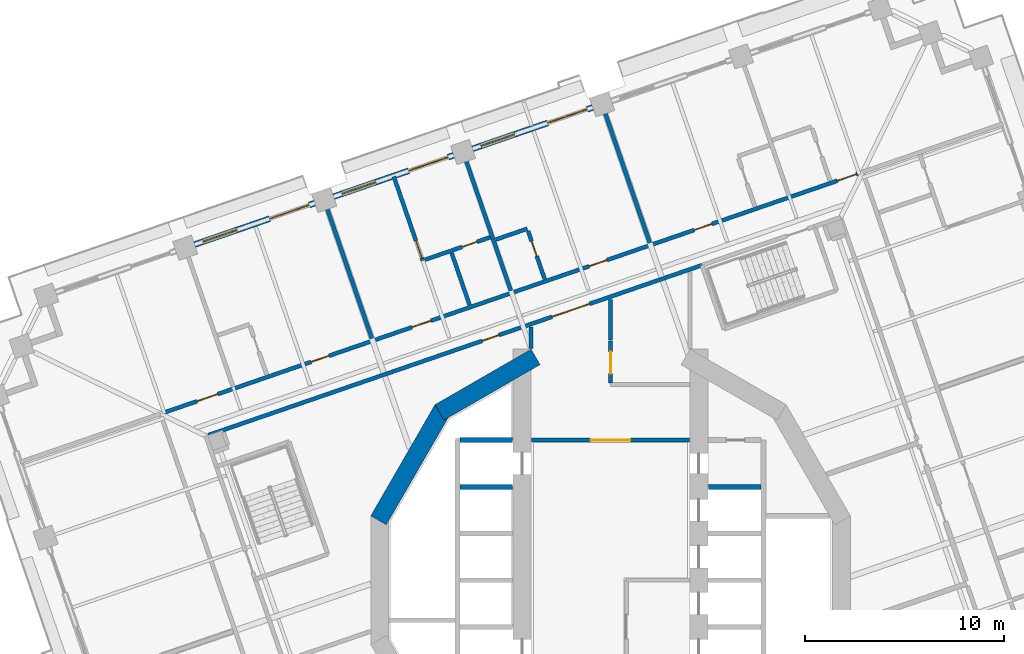
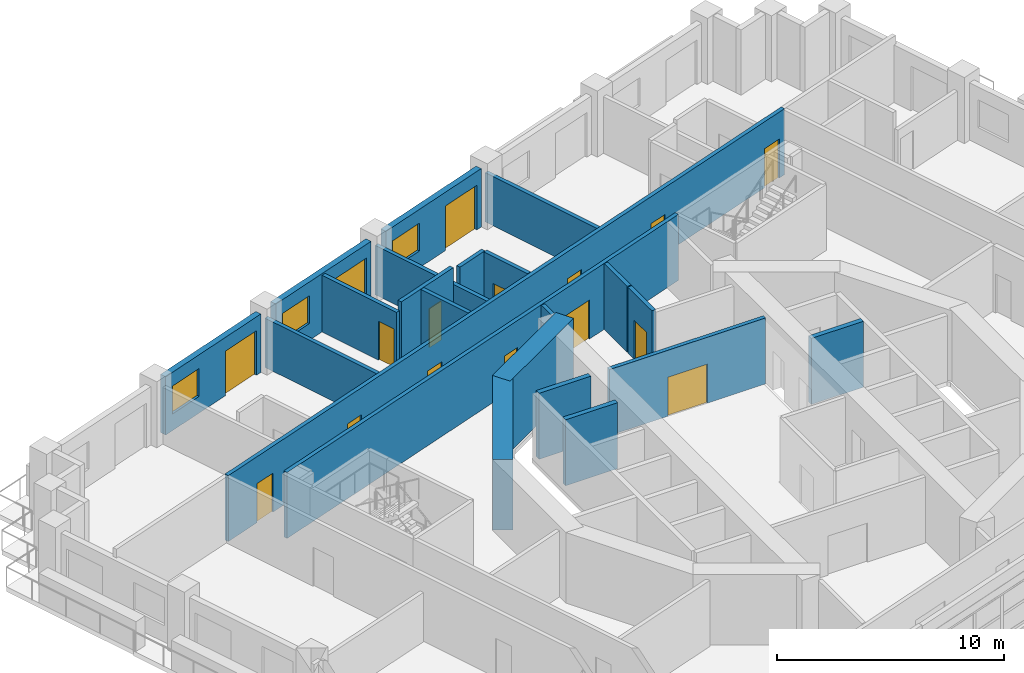
# One storey, part 12 of 22: 22 walls, 16 doors, 3 windows, 19 openings.
"""IFC4 building model written with IfcOpenShell, lengths in metres."""

from ifc_helpers import new_model, si_unit, direction, frame, frame_2d, origin, place, context, subcontext, project, spatial, rectangle, extrude, material, layer, layer_set, type_object, element, fill, save


model = new_model("IFC4")

# Units and contexts
model_context = context("Model", 3, precision=1e-05, world=origin(), true_north=direction((0.0, 1.0)))
body_context = subcontext(model_context, "Body", "Model", "MODEL_VIEW")
ifc_project = project(units=[si_unit("LENGTHUNIT", "METRE"), si_unit("AREAUNIT", "SQUARE_METRE"), si_unit("VOLUMEUNIT", "CUBIC_METRE"), si_unit("PLANEANGLEUNIT", "RADIAN"), si_unit("MASSUNIT", "GRAM", prefix="KILO")], contexts=[model_context])

# Site, building, storey
site_placement = place(None, origin())
site = spatial("IfcSite", under=ifc_project, at=site_placement, CompositionType="ELEMENT")
building_placement = place(site_placement, origin())
building = spatial("IfcBuilding", under=site, at=building_placement, Name="Cantera Rosa Tower", CompositionType="ELEMENT")
storey_placement = place(building_placement, frame((0.0, 0.0, 104.10009765625)))
storey = spatial("IfcBuildingStorey", under=building, at=storey_placement, Name="L20", CompositionType="ELEMENT", Elevation=104.10009765625)

# Wall
ifc_material_1 = material(Name="Gypsum board partition")
ifc_layer_1 = layer(ifc_material_1, 0.199951171875)
ifc_layer_set_1 = layer_set([ifc_layer_1], Name="CORRIDOR WALL 200 H3550")
wall_type_1 = type_object("IfcWallType", Name="CORRIDOR WALL 200 H3550", PredefinedType="PARTITIONING", material=ifc_layer_set_1)
wall_1_placement = place(storey_placement, frame((-4.0, 12.760498046875, 0.0), z_axis=(0.0, 0.0, 1.0), x_axis=(0.0, -1.0, 0.0)))
element("IfcWall", 1, at=wall_1_placement, inside=storey, type_object=wall_type_1, Name="CORRIDOR WALL L20-049", PredefinedType="PARTITIONING", context=body_context, shape_type="SweptSolid", body=[
    extrude(rectangle(XDim=1.09326171875, YDim=0.199951171875, at=frame_2d((0.546630859375, 0.0))), origin(), (0.0, 0.0, 1.0), 3.5498046875),
])

# Wall, opening, door
wall_2_placement = place(storey_placement, frame((-3.969970703125, 7.050048828125, 0.0), z_axis=(0.0, 0.0, 1.0), x_axis=(1.0, 0.0, 0.0)))
wall_2 = element("IfcWall", 2, at=wall_2_placement, inside=storey, type_object=wall_type_1, Name="CORRIDOR WALL L20-050", PredefinedType="PARTITIONING", context=body_context, shape_type="SweptSolid", body=[
    extrude(rectangle(XDim=7.93994140625, YDim=0.199951171875, at=frame_2d((3.969970703125, 0.0))), origin(), (0.0, 0.0, 1.0), 3.5498046875),
])
opening_1_placement = place(wall_2_placement, frame((2.969970703125, 0.0, 0.0)))
opening_1 = element("IfcOpeningElement", 3, at=opening_1_placement, cuts=wall_2, Name="Opening L20-011", PredefinedType="OPENING", context=body_context, shape_type="SweptSolid", body=[
    extrude(rectangle(XDim=2.0, YDim=2.10009765625, at=frame_2d((1.0, 1.050048828125))), frame((0.0, 0.10986328125, 0.0), z_axis=(0.0, -1.0, 0.0), x_axis=(1.0, 0.0, 0.0)), (0.0, 0.0, 1.0), 0.219970703125),
])
ifc_material_2 = material(Name="Steel S355J2 (EN 10025-2)", Category="steel")
door_type_1 = type_object("IfcDoorType", Name="LOBBY SCREEN DOOR 2000x2100", OperationType="NOTDEFINED", PredefinedType="DOOR", material=ifc_material_2)
door_1_placement = place(opening_1_placement, origin())
door_1 = element("IfcDoor", 4, at=door_1_placement, inside=storey, type_object=door_type_1, Name="DOOR L20-011", OperationType="NOTDEFINED", OverallHeight=2.10009765625, OverallWidth=2.0, PredefinedType="DOOR", context=body_context, shape_type="SweptSolid", body=[
    extrude(rectangle(XDim=2.0, YDim=2.10009765625, at=frame_2d((1.0, 1.050048828125))), frame((0.0, 0.02490234375, 0.0), z_axis=(0.0, -1.0, 0.0), x_axis=(1.0, 0.0, 0.0)), (0.0, 0.0, 1.0), 0.050048828125),
])
fill(opening_1, door_1)

wall_3_placement = place(storey_placement, frame((0.0, 12.044189453125, 0.0), z_axis=(0.0, 0.0, 1.0), x_axis=(0.0, -1.0, 0.0)))
wall_3 = element("IfcWall", 5, at=wall_3_placement, inside=storey, type_object=wall_type_1, Name="CORRIDOR WALL L20-055", PredefinedType="PARTITIONING", context=body_context, shape_type="SweptSolid", body=[
    extrude(rectangle(XDim=2.1142578125, YDim=0.199951171875, at=frame_2d((1.05712890625, 0.0))), origin(), (0.0, 0.0, 1.0), 3.5498046875),
])
opening_2_placement = place(wall_3_placement, frame((0.547119140625, 0.0, 0.0)))
opening_2 = element("IfcOpeningElement", 6, at=opening_2_placement, cuts=wall_3, Name="Opening L20-015", PredefinedType="OPENING", context=body_context, shape_type="SweptSolid", body=[
    extrude(rectangle(XDim=1.10009765625, YDim=2.10009765625, at=frame_2d((0.550048828125, 1.050048828125))), frame((0.0, 0.10986328125, 0.0), z_axis=(0.0, -1.0, 0.0), x_axis=(1.0, 0.0, 0.0)), (0.0, 0.0, 1.0), 0.219970703125),
])
ifc_material_3 = material(Name="Timber door leaf", Category="wood")
door_type_2 = type_object("IfcDoorType", Name="ROOM DOOR 1100x2100", OperationType="NOTDEFINED", PredefinedType="DOOR", material=ifc_material_3)
door_2_placement = place(opening_2_placement, origin())
door_2 = element("IfcDoor", 7, at=door_2_placement, inside=storey, type_object=door_type_2, Name="DOOR L20-015", OperationType="NOTDEFINED", OverallHeight=2.10009765625, OverallWidth=1.10009765625, PredefinedType="DOOR", context=body_context, shape_type="SweptSolid", body=[
    extrude(rectangle(XDim=1.10009765625, YDim=2.10009765625, at=frame_2d((0.550048828125, 1.050048828125))), frame((0.0, 0.02490234375, 0.0), z_axis=(0.0, -1.0, 0.0), x_axis=(1.0, 0.0, 0.0)), (0.0, 0.0, 1.0), 0.050048828125),
])
fill(opening_2, door_2)

# Wall
wall_4_placement = place(storey_placement, frame((0.0, 14.137939453125, 0.0), z_axis=(0.0, 0.0, 1.0), x_axis=(0.0, -1.0, 0.0)))
element("IfcWall", 8, at=wall_4_placement, inside=storey, type_object=wall_type_1, Name="CORRIDOR WALL L20-056", PredefinedType="PARTITIONING", context=body_context, shape_type="SweptSolid", body=[
    extrude(rectangle(XDim=2.033935546875, YDim=0.199951171875, at=frame_2d((1.01708984375, 0.0))), origin(), (0.0, 0.0, 1.0), 3.5498046875),
])

# Wall, openings, doors
wall_5_placement = place(storey_placement, frame((4.599365234375, 15.861572265625, 0.0), z_axis=(0.0, 0.0, 1.0), x_axis=(-0.94551912499, -0.325566558907, 0.0)))
wall_5 = element("IfcWall", 9, at=wall_5_placement, inside=storey, type_object=wall_type_1, Name="CORRIDOR WALL L20-064", PredefinedType="PARTITIONING", context=body_context, shape_type="SweptSolid", body=[
    extrude(rectangle(XDim=26.292724609375, YDim=0.199951171875, at=frame_2d((13.146484375, 0.0))), origin(), (0.0, 0.0, 1.0), 3.5498046875),
])
opening_3_placement = place(wall_5_placement, frame((10.8095703125, 0.0, 0.0)))
opening_3 = element("IfcOpeningElement", 10, at=opening_3_placement, cuts=wall_5, Name="Opening L20-005", PredefinedType="OPENING", context=body_context, shape_type="SweptSolid", body=[
    extrude(rectangle(XDim=0.89990234375, YDim=2.10009765625, at=frame_2d((0.449951171875, 1.050048828125))), frame((0.0, 0.10986328125, 0.0), z_axis=(0.0, -1.0, 0.0), x_axis=(1.0, 0.0, 0.0)), (0.0, 0.0, 1.0), 0.219970703125),
])
opening_4_placement = place(wall_5_placement, frame((5.9794921875, 0.0, 0.0)))
opening_4 = element("IfcOpeningElement", 11, at=opening_4_placement, cuts=wall_5, Name="Opening L20-010", PredefinedType="OPENING", context=body_context, shape_type="SweptSolid", body=[
    extrude(rectangle(XDim=2.0, YDim=2.10009765625, at=frame_2d((1.0, 1.050048828125))), frame((0.0, 0.10986328125, 0.0), z_axis=(0.0, -1.0, 0.0), x_axis=(1.0, 0.0, 0.0)), (0.0, 0.0, 1.0), 0.219970703125),
])
door_3_placement = place(opening_4_placement, origin())
door_3 = element("IfcDoor", 12, at=door_3_placement, inside=storey, type_object=door_type_1, Name="DOOR L20-010", OperationType="NOTDEFINED", OverallHeight=2.10009765625, OverallWidth=2.0, PredefinedType="DOOR", context=body_context, shape_type="SweptSolid", body=[
    extrude(rectangle(XDim=2.0, YDim=2.10009765625, at=frame_2d((1.0, 1.050048828125))), frame((0.0, 0.02490234375, 0.0), z_axis=(0.0, -1.0, 0.0), x_axis=(1.0, 0.0, 0.0)), (0.0, 0.0, 1.0), 0.050048828125),
])
fill(opening_4, door_3)
ifc_material_4 = material(Name="Timber door leaf", Category="wood")
door_type_3 = type_object("IfcDoorType", Name="SERVICE DOOR 900x2100", OperationType="NOTDEFINED", PredefinedType="DOOR", material=ifc_material_4)
door_4_placement = place(opening_3_placement, origin())
door_4 = element("IfcDoor", 13, at=door_4_placement, inside=storey, type_object=door_type_3, Name="DOOR L20-005", OperationType="NOTDEFINED", OverallHeight=2.10009765625, OverallWidth=0.89990234375, PredefinedType="DOOR", context=body_context, shape_type="SweptSolid", body=[
    extrude(rectangle(XDim=0.89990234375, YDim=2.10009765625, at=frame_2d((0.449951171875, 1.050048828125))), frame((0.0, 0.02490234375, 0.0), z_axis=(0.0, -1.0, 0.0), x_axis=(1.0, 0.0, 0.0)), (0.0, 0.0, 1.0), 0.050048828125),
])
fill(opening_3, door_4)

wall_6_placement = place(storey_placement, frame((12.699951171875, 20.5546875, 0.0), z_axis=(0.0, 0.0, 1.0), x_axis=(-0.945517404909, -0.325571554368, 0.0)))
wall_6 = element("IfcWall", 14, at=wall_6_placement, inside=storey, type_object=wall_type_1, Name="CORRIDOR WALL L20-088", PredefinedType="PARTITIONING", context=body_context, shape_type="SweptSolid", body=[
    extrude(rectangle(XDim=37.35986328125, YDim=0.199951171875, at=frame_2d((18.679931640625, 0.0))), origin(), (0.0, 0.0, 1.0), 3.5498046875),
])
opening_5_placement = place(wall_6_placement, frame((8.02490234375, 0.0, 0.0)))
opening_5 = element("IfcOpeningElement", 15, at=opening_5_placement, cuts=wall_6, Name="Opening L20-024", PredefinedType="OPENING", context=body_context, shape_type="SweptSolid", body=[
    extrude(rectangle(XDim=0.949951171875, YDim=2.10009765625, at=frame_2d((0.47509765625, 1.050048828125))), frame((0.0, 0.10986328125, 0.0), z_axis=(0.0, -1.0, 0.0), x_axis=(1.0, 0.0, 0.0)), (0.0, 0.0, 1.0), 0.219970703125),
])
opening_6_placement = place(wall_6_placement, frame((13.625, 0.0, 0.0)))
opening_6 = element("IfcOpeningElement", 16, at=opening_6_placement, cuts=wall_6, Name="Opening L20-026", PredefinedType="OPENING", context=body_context, shape_type="SweptSolid", body=[
    extrude(rectangle(XDim=0.949951171875, YDim=2.10009765625, at=frame_2d((0.47509765625, 1.050048828125))), frame((0.0, 0.10986328125, 0.0), z_axis=(0.0, -1.0, 0.0), x_axis=(1.0, 0.0, 0.0)), (0.0, 0.0, 1.0), 0.219970703125),
])
opening_7_placement = place(wall_6_placement, frame((23.0, 0.0, 0.0)))
opening_7 = element("IfcOpeningElement", 17, at=opening_7_placement, cuts=wall_6, Name="Opening L20-028", PredefinedType="OPENING", context=body_context, shape_type="SweptSolid", body=[
    extrude(rectangle(XDim=1.0, YDim=2.10009765625, at=frame_2d((0.5, 1.050048828125))), frame((0.0, 0.10986328125, 0.0), z_axis=(0.0, -1.0, 0.0), x_axis=(1.0, 0.0, 0.0)), (0.0, 0.0, 1.0), 0.219970703125),
])
opening_8_placement = place(wall_6_placement, frame((28.425048828125, 0.0, 0.0)))
opening_8 = element("IfcOpeningElement", 18, at=opening_8_placement, cuts=wall_6, Name="Opening L20-031", PredefinedType="OPENING", context=body_context, shape_type="SweptSolid", body=[
    extrude(rectangle(XDim=0.949951171875, YDim=2.10009765625, at=frame_2d((0.47509765625, 1.050048828125))), frame((0.0, 0.10986328125, 0.0), z_axis=(0.0, -1.0, 0.0), x_axis=(1.0, 0.0, 0.0)), (0.0, 0.0, 1.0), 0.219970703125),
])
opening_9_placement = place(wall_6_placement, frame((0.35009765625, 0.0, 0.0)))
opening_9 = element("IfcOpeningElement", 19, at=opening_9_placement, cuts=wall_6, Name="Opening L20-033", PredefinedType="OPENING", context=body_context, shape_type="SweptSolid", body=[
    extrude(rectangle(XDim=1.0, YDim=2.10009765625, at=frame_2d((0.5, 1.050048828125))), frame((0.0, 0.10986328125, 0.0), z_axis=(0.0, -1.0, 0.0), x_axis=(1.0, 0.0, 0.0)), (0.0, 0.0, 1.0), 0.219970703125),
])
opening_10_placement = place(wall_6_placement, frame((34.35009765625, 0.0, 0.0)))
opening_10 = element("IfcOpeningElement", 20, at=opening_10_placement, cuts=wall_6, Name="Opening L20-035", PredefinedType="OPENING", context=body_context, shape_type="SweptSolid", body=[
    extrude(rectangle(XDim=1.10009765625, YDim=2.10009765625, at=frame_2d((0.550048828125, 1.050048828125))), frame((0.0, 0.10986328125, 0.0), z_axis=(0.0, -1.0, 0.0), x_axis=(1.0, 0.0, 0.0)), (0.0, 0.0, 1.0), 0.219970703125),
])
ifc_material_5 = material(Name="Timber door leaf", Category="wood")
door_type_4 = type_object("IfcDoorType", Name="ENTRANCE DOOR 1000x2100", OperationType="NOTDEFINED", PredefinedType="DOOR", material=ifc_material_5)
door_5_placement = place(opening_7_placement, origin())
door_5 = element("IfcDoor", 21, at=door_5_placement, inside=storey, type_object=door_type_4, Name="DOOR L20-028", OperationType="NOTDEFINED", OverallHeight=2.10009765625, OverallWidth=1.0, PredefinedType="DOOR", context=body_context, shape_type="SweptSolid", body=[
    extrude(rectangle(XDim=1.0, YDim=2.10009765625, at=frame_2d((0.5, 1.050048828125))), frame((0.0, 0.02490234375, 0.0), z_axis=(0.0, -1.0, 0.0), x_axis=(1.0, 0.0, 0.0)), (0.0, 0.0, 1.0), 0.050048828125),
])
fill(opening_7, door_5)
door_6_placement = place(opening_9_placement, origin())
door_6 = element("IfcDoor", 22, at=door_6_placement, inside=storey, type_object=door_type_4, Name="DOOR L20-033", OperationType="NOTDEFINED", OverallHeight=2.10009765625, OverallWidth=1.0, PredefinedType="DOOR", context=body_context, shape_type="SweptSolid", body=[
    extrude(rectangle(XDim=1.0, YDim=2.10009765625, at=frame_2d((0.5, 1.050048828125))), frame((0.0, 0.02490234375, 0.0), z_axis=(0.0, -1.0, 0.0), x_axis=(1.0, 0.0, 0.0)), (0.0, 0.0, 1.0), 0.050048828125),
])
fill(opening_9, door_6)
door_7_placement = place(opening_10_placement, origin())
door_7 = element("IfcDoor", 23, at=door_7_placement, inside=storey, type_object=door_type_2, Name="DOOR L20-035", OperationType="NOTDEFINED", OverallHeight=2.10009765625, OverallWidth=1.10009765625, PredefinedType="DOOR", context=body_context, shape_type="SweptSolid", body=[
    extrude(rectangle(XDim=1.10009765625, YDim=2.10009765625, at=frame_2d((0.550048828125, 1.050048828125))), frame((0.0, 0.02490234375, 0.0), z_axis=(0.0, -1.0, 0.0), x_axis=(1.0, 0.0, 0.0)), (0.0, 0.0, 1.0), 0.050048828125),
])
fill(opening_10, door_7)
ifc_material_6 = material(Name="Timber door leaf", Category="wood")
door_type_5 = type_object("IfcDoorType", Name="ROOM DOOR 950x2100", OperationType="NOTDEFINED", PredefinedType="DOOR", material=ifc_material_6)
door_8_placement = place(opening_5_placement, origin())
door_8 = element("IfcDoor", 24, at=door_8_placement, inside=storey, type_object=door_type_5, Name="DOOR L20-024", OperationType="NOTDEFINED", OverallHeight=2.10009765625, OverallWidth=0.949951171875, PredefinedType="DOOR", context=body_context, shape_type="SweptSolid", body=[
    extrude(rectangle(XDim=0.949951171875, YDim=2.10009765625, at=frame_2d((0.47509765625, 1.050048828125))), frame((0.0, 0.02490234375, 0.0), z_axis=(0.0, -1.0, 0.0), x_axis=(1.0, 0.0, 0.0)), (0.0, 0.0, 1.0), 0.050048828125),
])
fill(opening_5, door_8)
door_9_placement = place(opening_6_placement, origin())
door_9 = element("IfcDoor", 25, at=door_9_placement, inside=storey, type_object=door_type_5, Name="DOOR L20-026", OperationType="NOTDEFINED", OverallHeight=2.10009765625, OverallWidth=0.949951171875, PredefinedType="DOOR", context=body_context, shape_type="SweptSolid", body=[
    extrude(rectangle(XDim=0.949951171875, YDim=2.10009765625, at=frame_2d((0.47509765625, 1.050048828125))), frame((0.0, 0.02490234375, 0.0), z_axis=(0.0, -1.0, 0.0), x_axis=(1.0, 0.0, 0.0)), (0.0, 0.0, 1.0), 0.050048828125),
])
fill(opening_6, door_9)
door_10_placement = place(opening_8_placement, origin())
door_10 = element("IfcDoor", 26, at=door_10_placement, inside=storey, type_object=door_type_5, Name="DOOR L20-031", OperationType="NOTDEFINED", OverallHeight=2.10009765625, OverallWidth=0.949951171875, PredefinedType="DOOR", context=body_context, shape_type="SweptSolid", body=[
    extrude(rectangle(XDim=0.949951171875, YDim=2.10009765625, at=frame_2d((0.47509765625, 1.050048828125))), frame((0.0, 0.02490234375, 0.0), z_axis=(0.0, -1.0, 0.0), x_axis=(1.0, 0.0, 0.0)), (0.0, 0.0, 1.0), 0.050048828125),
])
fill(opening_8, door_10)

# Wall, openings, window, door
ifc_material_7 = material(Name="Hollow clay masonry with cantera stone cladding", Category="masonry")
ifc_layer_2 = layer(ifc_material_7, 0.300048828125)
ifc_layer_set_2 = layer_set([ifc_layer_2], Name="EW-LOGGIA 300 H3140")
wall_type_2 = type_object("IfcWallType", Name="EW-LOGGIA 300 H3140", PredefinedType="SOLIDWALL", material=ifc_layer_set_2)
wall_7_placement = place(storey_placement, frame((-0.89892578125, 23.80419921875, 0.0), z_axis=(0.0, 0.0, 1.0), x_axis=(-0.945524496524, -0.325550958337, 0.0)))
wall_7 = element("IfcWall", 27, at=wall_7_placement, inside=storey, type_object=wall_type_2, Name="EN-L20-W10", PredefinedType="SOLIDWALL", context=body_context, shape_type="SweptSolid", body=[
    extrude(rectangle(XDim=6.39990234375, YDim=0.300048828125, at=frame_2d((3.199951171875, 0.0))), origin(), (0.0, 0.0, 1.0), 3.139892578125),
])
opening_11_placement = place(wall_7_placement, frame((0.300048828125, 0.0, 0.0)))
opening_11 = element("IfcOpeningElement", 28, at=opening_11_placement, cuts=wall_7, Name="Opening L20-TD15", PredefinedType="OPENING", context=body_context, shape_type="SweptSolid", body=[
    extrude(rectangle(XDim=2.10009765625, YDim=2.39990234375, at=frame_2d((1.050048828125, 1.199951171875))), frame((0.0, 0.159912109375, 0.0), z_axis=(0.0, -1.0, 0.0), x_axis=(1.0, 0.0, 0.0)), (0.0, 0.0, 1.0), 0.320068359375),
])
opening_12_placement = place(wall_7_placement, frame((4.14990234375, 0.0, 0.89990234375)))
opening_12 = element("IfcOpeningElement", 29, at=opening_12_placement, cuts=wall_7, Name="Opening L20-W16", PredefinedType="OPENING", context=body_context, shape_type="SweptSolid", body=[
    extrude(rectangle(XDim=1.800048828125, YDim=1.5, at=frame_2d((0.89990234375, 0.75))), frame((0.0, 0.159912109375, 0.0), z_axis=(0.0, -1.0, 0.0), x_axis=(1.0, 0.0, 0.0)), (0.0, 0.0, 1.0), 0.320068359375),
])
ifc_material_8 = material(Name="Aluminium frame with clear glass", Category="aluminium")
window_type = type_object("IfcWindowType", Name="Hotel room window 1800x1500", PartitioningType="DOUBLE_PANEL_VERTICAL", PredefinedType="WINDOW", material=ifc_material_8)
window_1_placement = place(opening_12_placement, origin())
window_1 = element("IfcWindow", 30, at=window_1_placement, inside=storey, type_object=window_type, Name="WINDOW L20-W16", OverallHeight=1.5, OverallWidth=1.800048828125, PartitioningType="SINGLE_PANEL", PredefinedType="WINDOW", context=body_context, shape_type="SweptSolid", body=[
    extrude(rectangle(XDim=1.800048828125, YDim=1.5, at=frame_2d((0.89990234375, 0.75))), frame((0.0, 0.030029296875, 0.0), z_axis=(0.0, -1.0, 0.0), x_axis=(1.0, 0.0, 0.0)), (0.0, 0.0, 1.0), 0.06005859375),
])
fill(opening_12, window_1)
ifc_material_9 = material(Name="Aluminium frame with clear glass", Category="aluminium")
door_type_6 = type_object("IfcDoorType", Name="TD-H 2100x2400", OperationType="NOTDEFINED", PredefinedType="DOOR", material=ifc_material_9)
door_11_placement = place(opening_11_placement, origin())
door_11 = element("IfcDoor", 31, at=door_11_placement, inside=storey, type_object=door_type_6, Name="LOGGIA DOOR L20-TD15", OperationType="SLIDING_TO_LEFT", OverallHeight=2.39990234375, OverallWidth=2.10009765625, PredefinedType="DOOR", context=body_context, shape_type="SweptSolid", body=[
    extrude(rectangle(XDim=2.10009765625, YDim=2.39990234375, at=frame_2d((1.050048828125, 1.199951171875))), frame((0.0, 0.02490234375, 0.0), z_axis=(0.0, -1.0, 0.0), x_axis=(1.0, 0.0, 0.0)), (0.0, 0.0, 1.0), 0.050048828125),
])
fill(opening_11, door_11)

wall_8_placement = place(storey_placement, frame((-7.895751953125, 21.39501953125, 0.0), z_axis=(0.0, 0.0, 1.0), x_axis=(-0.945524496524, -0.325550958337, 0.0)))
wall_8 = element("IfcWall", 32, at=wall_8_placement, inside=storey, type_object=wall_type_2, Name="EN-L20-W11", PredefinedType="SOLIDWALL", context=body_context, shape_type="SweptSolid", body=[
    extrude(rectangle(XDim=6.39990234375, YDim=0.300048828125, at=frame_2d((3.199951171875, 0.0))), origin(), (0.0, 0.0, 1.0), 3.139892578125),
])
opening_13_placement = place(wall_8_placement, frame((0.300048828125, 0.0, 0.0)))
opening_13 = element("IfcOpeningElement", 33, at=opening_13_placement, cuts=wall_8, Name="Opening L20-TD17", PredefinedType="OPENING", context=body_context, shape_type="SweptSolid", body=[
    extrude(rectangle(XDim=2.10009765625, YDim=2.39990234375, at=frame_2d((1.050048828125, 1.199951171875))), frame((0.0, 0.159912109375, 0.0), z_axis=(0.0, -1.0, 0.0), x_axis=(1.0, 0.0, 0.0)), (0.0, 0.0, 1.0), 0.320068359375),
])
opening_14_placement = place(wall_8_placement, frame((4.14990234375, 0.0, 0.89990234375)))
opening_14 = element("IfcOpeningElement", 34, at=opening_14_placement, cuts=wall_8, Name="Opening L20-W18", PredefinedType="OPENING", context=body_context, shape_type="SweptSolid", body=[
    extrude(rectangle(XDim=1.800048828125, YDim=1.5, at=frame_2d((0.89990234375, 0.75))), frame((0.0, 0.159912109375, 0.0), z_axis=(0.0, -1.0, 0.0), x_axis=(1.0, 0.0, 0.0)), (0.0, 0.0, 1.0), 0.320068359375),
])
window_2_placement = place(opening_14_placement, origin())
window_2 = element("IfcWindow", 35, at=window_2_placement, inside=storey, type_object=window_type, Name="WINDOW L20-W18", OverallHeight=1.5, OverallWidth=1.800048828125, PartitioningType="SINGLE_PANEL", PredefinedType="WINDOW", context=body_context, shape_type="SweptSolid", body=[
    extrude(rectangle(XDim=1.800048828125, YDim=1.5, at=frame_2d((0.89990234375, 0.75))), frame((0.0, 0.030029296875, 0.0), z_axis=(0.0, -1.0, 0.0), x_axis=(1.0, 0.0, 0.0)), (0.0, 0.0, 1.0), 0.06005859375),
])
fill(opening_14, window_2)
door_12_placement = place(opening_13_placement, origin())
door_12 = element("IfcDoor", 36, at=door_12_placement, inside=storey, type_object=door_type_6, Name="LOGGIA DOOR L20-TD17", OperationType="SLIDING_TO_LEFT", OverallHeight=2.39990234375, OverallWidth=2.10009765625, PredefinedType="DOOR", context=body_context, shape_type="SweptSolid", body=[
    extrude(rectangle(XDim=2.10009765625, YDim=2.39990234375, at=frame_2d((1.050048828125, 1.199951171875))), frame((0.0, 0.02490234375, 0.0), z_axis=(0.0, -1.0, 0.0), x_axis=(1.0, 0.0, 0.0)), (0.0, 0.0, 1.0), 0.050048828125),
])
fill(opening_13, door_12)

wall_9_placement = place(storey_placement, frame((-14.892578125, 18.98583984375, 0.0), z_axis=(0.0, 0.0, 1.0), x_axis=(-0.945512753621, -0.325585062219, 0.0)))
wall_9 = element("IfcWall", 37, at=wall_9_placement, inside=storey, type_object=wall_type_2, Name="EN-L20-W12", PredefinedType="SOLIDWALL", context=body_context, shape_type="SweptSolid", body=[
    extrude(rectangle(XDim=6.39990234375, YDim=0.300048828125, at=frame_2d((3.199951171875, 0.0))), origin(), (0.0, 0.0, 1.0), 3.139892578125),
])
opening_15_placement = place(wall_9_placement, frame((0.300048828125, 0.0, 0.0)))
opening_15 = element("IfcOpeningElement", 38, at=opening_15_placement, cuts=wall_9, Name="Opening L20-TD19", PredefinedType="OPENING", context=body_context, shape_type="SweptSolid", body=[
    extrude(rectangle(XDim=2.10009765625, YDim=2.39990234375, at=frame_2d((1.050048828125, 1.199951171875))), frame((0.0, 0.159912109375, 0.0), z_axis=(0.0, -1.0, 0.0), x_axis=(1.0, 0.0, 0.0)), (0.0, 0.0, 1.0), 0.320068359375),
])
opening_16_placement = place(wall_9_placement, frame((4.14990234375, 0.0, 0.89990234375)))
opening_16 = element("IfcOpeningElement", 39, at=opening_16_placement, cuts=wall_9, Name="Opening L20-W20", PredefinedType="OPENING", context=body_context, shape_type="SweptSolid", body=[
    extrude(rectangle(XDim=1.800048828125, YDim=1.5, at=frame_2d((0.89990234375, 0.75))), frame((0.0, 0.159912109375, 0.0), z_axis=(0.0, -1.0, 0.0), x_axis=(1.0, 0.0, 0.0)), (0.0, 0.0, 1.0), 0.320068359375),
])
window_3_placement = place(opening_16_placement, origin())
window_3 = element("IfcWindow", 40, at=window_3_placement, inside=storey, type_object=window_type, Name="WINDOW L20-W20", OverallHeight=1.5, OverallWidth=1.800048828125, PartitioningType="SINGLE_PANEL", PredefinedType="WINDOW", context=body_context, shape_type="SweptSolid", body=[
    extrude(rectangle(XDim=1.800048828125, YDim=1.5, at=frame_2d((0.89990234375, 0.75))), frame((0.0, 0.030029296875, 0.0), z_axis=(0.0, -1.0, 0.0), x_axis=(1.0, 0.0, 0.0)), (0.0, 0.0, 1.0), 0.06005859375),
])
fill(opening_16, window_3)
door_13_placement = place(opening_15_placement, origin())
door_13 = element("IfcDoor", 41, at=door_13_placement, inside=storey, type_object=door_type_6, Name="LOGGIA DOOR L20-TD19", OperationType="SLIDING_TO_LEFT", OverallHeight=2.39990234375, OverallWidth=2.10009765625, PredefinedType="DOOR", context=body_context, shape_type="SweptSolid", body=[
    extrude(rectangle(XDim=2.10009765625, YDim=2.39990234375, at=frame_2d((1.050048828125, 1.199951171875))), frame((0.0, 0.02490234375, 0.0), z_axis=(0.0, -1.0, 0.0), x_axis=(1.0, 0.0, 0.0)), (0.0, 0.0, 1.0), 0.050048828125),
])
fill(opening_15, door_13)

# Wall, opening, door
ifc_material_10 = material(Name="Gypsum board partition")
ifc_layer_3 = layer(ifc_material_10, 0.199951171875)
ifc_layer_set_3 = layer_set([ifc_layer_3], Name="PARTITION 200 H3050")
wall_type_3 = type_object("IfcWallType", Name="PARTITION 200 H3050", PredefinedType="PARTITIONING", material=ifc_layer_set_3)
wall_10_placement = place(storey_placement, frame((-9.456298828125, 16.098388671875, 0.0), z_axis=(0.0, 0.0, 1.0), x_axis=(-0.325568171973, 0.945518569568, 0.0)))
wall_10 = element("IfcWall", 42, at=wall_10_placement, inside=storey, type_object=wall_type_3, Name="PARTITION L20-030", PredefinedType="PARTITIONING", context=body_context, shape_type="SweptSolid", body=[
    extrude(rectangle(XDim=4.47021484375, YDim=0.199951171875, at=frame_2d((2.235107421875, 0.0))), origin(), (0.0, 0.0, 1.0), 3.0498046875),
])
opening_17_placement = place(wall_10_placement, frame((0.14990234375, 0.0, 0.0)))
opening_17 = element("IfcOpeningElement", 43, at=opening_17_placement, cuts=wall_10, Name="Opening L20-029", PredefinedType="OPENING", context=body_context, shape_type="SweptSolid", body=[
    extrude(rectangle(XDim=0.89990234375, YDim=2.10009765625, at=frame_2d((0.449951171875, 1.050048828125))), frame((0.0, 0.10986328125, 0.0), z_axis=(0.0, -1.0, 0.0), x_axis=(1.0, 0.0, 0.0)), (0.0, 0.0, 1.0), 0.219970703125),
])
ifc_material_11 = material(Name="Timber door leaf", Category="wood")
door_type_7 = type_object("IfcDoorType", Name="ROOM DOOR 900x2100", OperationType="NOTDEFINED", PredefinedType="DOOR", material=ifc_material_11)
door_14_placement = place(opening_17_placement, origin())
door_14 = element("IfcDoor", 44, at=door_14_placement, inside=storey, type_object=door_type_7, Name="DOOR L20-029", OperationType="NOTDEFINED", OverallHeight=2.10009765625, OverallWidth=0.89990234375, PredefinedType="DOOR", context=body_context, shape_type="SweptSolid", body=[
    extrude(rectangle(XDim=0.89990234375, YDim=2.10009765625, at=frame_2d((0.449951171875, 1.050048828125))), frame((0.0, 0.02490234375, 0.0), z_axis=(0.0, -1.0, 0.0), x_axis=(1.0, 0.0, 0.0)), (0.0, 0.0, 1.0), 0.050048828125),
])
fill(opening_17, door_14)

# Wall
ifc_material_12 = material(Name="Gypsum board partition")
ifc_layer_4 = layer(ifc_material_12, 0.199951171875)
ifc_layer_set_4 = layer_set([ifc_layer_4], Name="PARTITION 200 H3550")
wall_type_4 = type_object("IfcWallType", Name="PARTITION 200 H3550", PredefinedType="PARTITIONING", material=ifc_layer_set_4)
wall_11_placement = place(storey_placement, frame((-7.100341796875, 13.863525390625, 0.0), z_axis=(0.0, 0.0, 1.0), x_axis=(-0.325579051861, 0.945514823252, 0.0)))
element("IfcWall", 45, at=wall_11_placement, inside=storey, type_object=wall_type_4, Name="PARTITION L20-040", PredefinedType="PARTITIONING", context=body_context, shape_type="SweptSolid", body=[
    extrude(rectangle(XDim=2.76025390625, YDim=0.199951171875, at=frame_2d((1.380126953125, 0.0))), origin(), (0.0, 0.0, 1.0), 3.5498046875),
])

# Wall, opening, door
wall_12_placement = place(storey_placement, frame((-6.052490234375, 17.2705078125, 0.0), z_axis=(0.0, 0.0, 1.0), x_axis=(-0.945515283852, -0.325577714228, 0.0)))
wall_12 = element("IfcWall", 46, at=wall_12_placement, inside=storey, type_object=wall_type_4, Name="PARTITION L20-042", PredefinedType="PARTITIONING", context=body_context, shape_type="SweptSolid", body=[
    extrude(rectangle(XDim=3.480224609375, YDim=0.199951171875, at=frame_2d((1.740234375, 0.0))), origin(), (0.0, 0.0, 1.0), 3.5498046875),
])
opening_18_placement = place(wall_12_placement, frame((0.7099609375, 0.0, 0.0)))
opening_18 = element("IfcOpeningElement", 47, at=opening_18_placement, cuts=wall_12, Name="Opening L20-030", PredefinedType="OPENING", context=body_context, shape_type="SweptSolid", body=[
    extrude(rectangle(XDim=0.800048828125, YDim=2.10009765625, at=frame_2d((0.39990234375, 1.050048828125))), frame((0.0, 0.10986328125, 0.0), z_axis=(0.0, -1.0, 0.0), x_axis=(1.0, 0.0, 0.0)), (0.0, 0.0, 1.0), 0.219970703125),
])
ifc_material_13 = material(Name="Timber door leaf", Category="wood")
door_type_8 = type_object("IfcDoorType", Name="BATHROOM DOOR 800x2100", OperationType="NOTDEFINED", PredefinedType="DOOR", material=ifc_material_13)
door_15_placement = place(opening_18_placement, origin())
door_15 = element("IfcDoor", 48, at=door_15_placement, inside=storey, type_object=door_type_8, Name="DOOR L20-030", OperationType="NOTDEFINED", OverallHeight=2.10009765625, OverallWidth=0.800048828125, PredefinedType="DOOR", context=body_context, shape_type="SweptSolid", body=[
    extrude(rectangle(XDim=0.800048828125, YDim=2.10009765625, at=frame_2d((0.39990234375, 1.050048828125))), frame((0.0, 0.02490234375, 0.0), z_axis=(0.0, -1.0, 0.0), x_axis=(1.0, 0.0, 0.0)), (0.0, 0.0, 1.0), 0.050048828125),
])
fill(opening_18, door_15)

# Wall
wall_13_placement = place(storey_placement, frame((-5.779296875, 17.153076171875, 0.0), z_axis=(0.0, 0.0, 1.0), x_axis=(0.945527319301, 0.325542759796, 0.0)))
element("IfcWall", 49, at=wall_13_placement, inside=storey, type_object=wall_type_4, Name="PARTITION L20-043", PredefinedType="PARTITIONING", context=body_context, shape_type="SweptSolid", body=[
    extrude(rectangle(XDim=1.679931640625, YDim=0.199951171875, at=frame_2d((0.83984375, 0.0))), origin(), (0.0, 0.0, 1.0), 3.5498046875),
])

# Wall, opening, door
wall_14_placement = place(storey_placement, frame((-4.15185546875, 17.58642578125, 0.0), z_axis=(0.0, 0.0, 1.0), x_axis=(0.325596805989, -0.9455087096, 0.0)))
wall_14 = element("IfcWall", 50, at=wall_14_placement, inside=storey, type_object=wall_type_4, Name="PARTITION L20-047", PredefinedType="PARTITIONING", context=body_context, shape_type="SweptSolid", body=[
    extrude(rectangle(XDim=2.559814453125, YDim=0.199951171875, at=frame_2d((1.27978515625, 0.0))), origin(), (0.0, 0.0, 1.0), 3.5498046875),
])
opening_19_placement = place(wall_14_placement, frame((0.5439453125, 0.0, 0.0)))
opening_19 = element("IfcOpeningElement", 51, at=opening_19_placement, cuts=wall_14, Name="Opening L20-027", PredefinedType="OPENING", context=body_context, shape_type="SweptSolid", body=[
    extrude(rectangle(XDim=0.800048828125, YDim=2.10009765625, at=frame_2d((0.39990234375, 1.050048828125))), frame((0.0, 0.10986328125, 0.0), z_axis=(0.0, -1.0, 0.0), x_axis=(1.0, 0.0, 0.0)), (0.0, 0.0, 1.0), 0.219970703125),
])
door_16_placement = place(opening_19_placement, origin())
door_16 = element("IfcDoor", 52, at=door_16_placement, inside=storey, type_object=door_type_8, Name="DOOR L20-027", OperationType="NOTDEFINED", OverallHeight=2.10009765625, OverallWidth=0.800048828125, PredefinedType="DOOR", context=body_context, shape_type="SweptSolid", body=[
    extrude(rectangle(XDim=0.800048828125, YDim=2.10009765625, at=frame_2d((0.39990234375, 1.050048828125))), frame((0.0, 0.02490234375, 0.0), z_axis=(0.0, -1.0, 0.0), x_axis=(1.0, 0.0, 0.0)), (0.0, 0.0, 1.0), 0.050048828125),
])
fill(opening_19, door_16)

# Walls
ifc_material_14 = material(Name="Gypsum board partition")
ifc_layer_5 = layer(ifc_material_14, 0.199951171875)
ifc_layer_set_5 = layer_set([ifc_layer_5], Name="PARTY WALL 200 H2650")
wall_type_5 = type_object("IfcWallType", Name="PARTY WALL 200 H2650", PredefinedType="PARTITIONING", material=ifc_layer_set_5)
for number, where, z_axis, x_axis, name in (
    (53, (-12.01708984375, 12.170654296875, 0.0), (0.0, 0.0, 1.0), (-0.325549451152, 0.945525015457, 0.0), "PARTY WALL L20-024"),
    (54, (-5.020263671875, 14.579833984375, 0.0), (0.0, 0.0, 1.0), (-0.325549451152, 0.945525015457, 0.0), "PARTY WALL L20-044"),
    (55, (1.9765625, 16.989013671875, 0.0), (0.0, 0.0, 1.0), (-0.325549451152, 0.945525015457, 0.0), "PARTY WALL L20-059"),
):
    element("IfcWall", number, at=place(storey_placement, frame(where, z_axis=z_axis, x_axis=x_axis)), inside=storey, type_object=wall_type_5, Name=name, PredefinedType="PARTITIONING", context=body_context, shape_type="SweptSolid", body=[
        extrude(rectangle(XDim=7.35009765625, YDim=0.199951171875, at=frame_2d((3.675048828125, 0.0))), origin(), (0.0, 0.0, 1.0), 2.64990234375),
    ])
ifc_material_15 = material(Name="Concrete C70/85", Category="concrete")
ifc_layer_6 = layer(ifc_material_15, 0.89990234375)
ifc_layer_set_6 = layer_set([ifc_layer_6], Name="RC CORE WALL 900 C70/85")
wall_type_6 = type_object("IfcWallType", Name="RC CORE WALL 900 C70/85", PredefinedType="SHEAR", material=ifc_layer_set_6)
wall_15_placement = place(storey_placement, frame((-11.684326171875, 3.01025390625, 0.0), z_axis=(0.0, 0.0, 1.0), x_axis=(0.499990282633, 0.866031014036, 0.0)))
element("IfcWall", 56, at=wall_15_placement, inside=storey, type_object=wall_type_6, Name="CW-W4 L20", PredefinedType="SHEAR", context=body_context, shape_type="SweptSolid", body=[
    extrude(rectangle(XDim=6.470458984375, YDim=0.89990234375, at=frame_2d((3.2353515625, 0.0))), origin(), (0.0, 0.0, 1.0), 3.7998046875),
])
wall_16_placement = place(storey_placement, frame((-8.61376953125, 8.44921875, 0.0), z_axis=(0.0, 0.0, 1.0), x_axis=(0.866026961591, 0.49999730179, 0.0)))
element("IfcWall", 57, at=wall_16_placement, inside=storey, type_object=wall_type_6, Name="CW-W5 L20", PredefinedType="SHEAR", context=body_context, shape_type="SweptSolid", body=[
    extrude(rectangle(XDim=5.58740234375, YDim=0.89990234375, at=frame_2d((2.793701171875, 0.0))), origin(), (0.0, 0.0, 1.0), 3.7998046875),
])
ifc_material_16 = material(Name="Masonry blockwork", Category="masonry")
ifc_layer_7 = layer(ifc_material_16, 0.25)
ifc_layer_set_7 = layer_set([ifc_layer_7], Name="SHAFT WALL 250 H3550")
wall_type_7 = type_object("IfcWallType", Name="SHAFT WALL 250 H3550", PredefinedType="SOLIDWALL", material=ifc_layer_set_7)
wall_17_placement = place(storey_placement, frame((-7.574951171875, 4.699951171875, 0.0), z_axis=(0.0, 0.0, 1.0), x_axis=(1.0, 0.0, 0.0)))
element("IfcWall", 58, at=wall_17_placement, inside=storey, type_object=wall_type_7, Name="SHAFT WALL L20-038", PredefinedType="SOLIDWALL", context=body_context, shape_type="SweptSolid", body=[
    extrude(rectangle(XDim=2.64501953125, YDim=0.25, at=frame_2d((1.322509765625, 0.0))), origin(), (0.0, 0.0, 1.0), 3.5498046875),
])
wall_18_placement = place(storey_placement, frame((-4.929931640625, 7.050048828125, 0.0), z_axis=(0.0, 0.0, 1.0), x_axis=(-1.0, 0.0, 0.0)))
element("IfcWall", 59, at=wall_18_placement, inside=storey, type_object=wall_type_7, Name="SHAFT WALL L20-045", PredefinedType="SOLIDWALL", context=body_context, shape_type="SweptSolid", body=[
    extrude(rectangle(XDim=2.650146484375, YDim=0.25, at=frame_2d((1.3251953125, 0.0))), origin(), (0.0, 0.0, 1.0), 3.5498046875),
])
wall_19_placement = place(storey_placement, frame((7.574951171875, 4.699951171875, 0.0), z_axis=(0.0, 0.0, 1.0), x_axis=(-1.0, 0.0, 0.0)))
element("IfcWall", 60, at=wall_19_placement, inside=storey, type_object=wall_type_7, Name="SHAFT WALL L20-079", PredefinedType="SOLIDWALL", context=body_context, shape_type="SweptSolid", body=[
    extrude(rectangle(XDim=2.64501953125, YDim=0.25, at=frame_2d((1.322509765625, 0.0))), origin(), (0.0, 0.0, 1.0), 3.5498046875),
])

save(model, "model.ifc")
